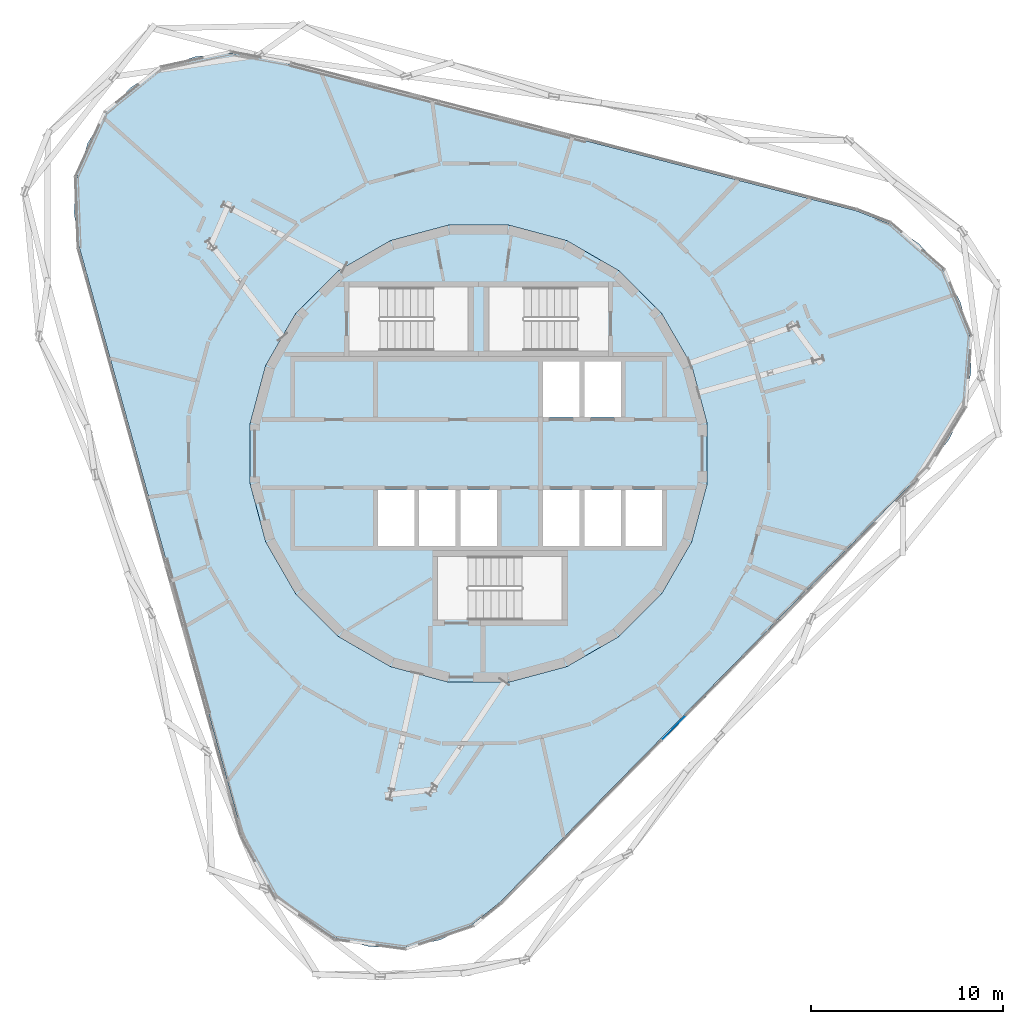
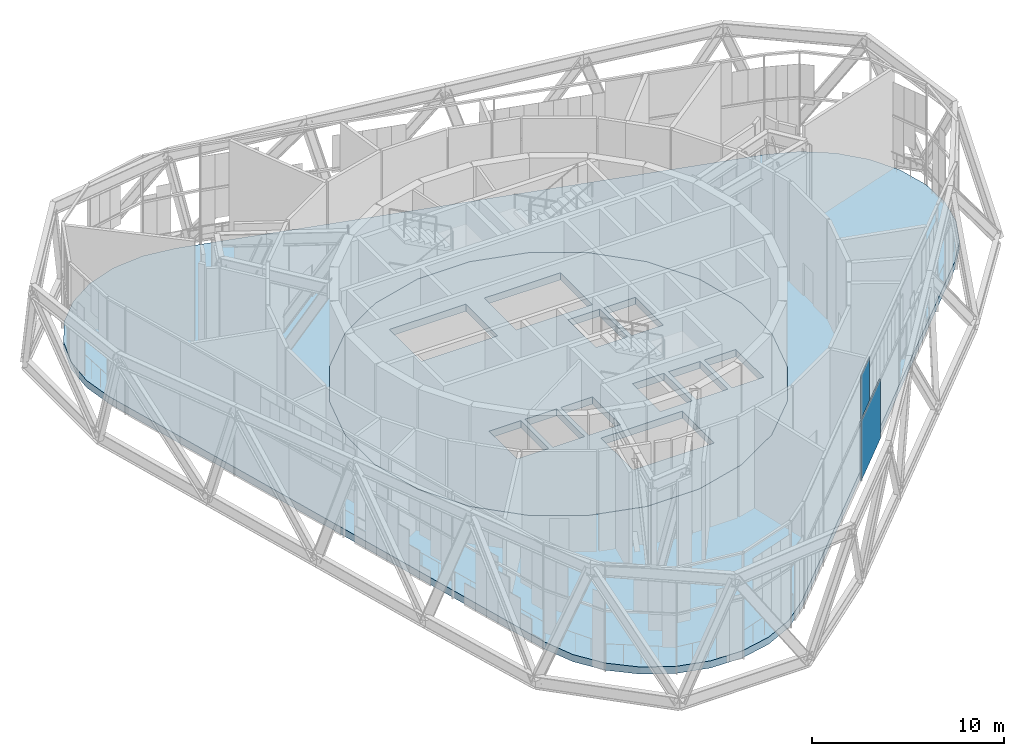
# One storey, part 10 of 23: 2 plates, 2 slabs, 1 element without a shape of its own.
"""IFC4 building model written with IfcOpenShell, lengths in metres."""

import ifcopenshell
import ifcopenshell.guid

model = None  # the IFC model being written
_history = None  # IfcOwnerHistory: only IFC2X3 demands one
_inside = {}  # id of a spatial element -> (the spatial element, [elements in it])
_under = {}  # id of a project, library or spatial element -> (it, [spatial elements below it])
_declared = {}  # id of a project -> (the project, [libraries it declares])
_typed = {}  # id of a type object -> (the type object, [elements of that type])
_made_of = {}  # id of a material, layer set ... -> (it, [elements and type objects made of it])


def new_model(schema):
    """Start an empty IFC model of exactly this schema.

    Asked for "IFC4X3", IfcOpenShell would pick the latest addendum, in which some entities
    have other attributes; the version numbers below select the first issue.
    IFC2X3 requires an IfcOwnerHistory on every rooted entity: one is made here for all.
    """
    global model, _history
    if schema == "IFC4X3":
        model = ifcopenshell.file(schema_version=(4, 3, 0, 0))
    else:
        model = ifcopenshell.file(schema=schema)
    _inside.clear()
    _under.clear()
    _declared.clear()
    _typed.clear()
    _made_of.clear()
    _history = None
    if model.schema == "IFC2X3":
        org = make("IfcOrganization", Name="unknown")
        user = make(
            "IfcPersonAndOrganization",
            ThePerson=make("IfcPerson", FamilyName="unknown"),
            TheOrganization=org,
        )
        app = make(
            "IfcApplication",
            ApplicationDeveloper=org,
            Version="unknown",
            ApplicationFullName="unknown",
            ApplicationIdentifier="unknown",
        )
        _history = make(
            "IfcOwnerHistory",
            OwningUser=user,
            OwningApplication=app,
            ChangeAction="ADDED",
            CreationDate=0,
        )
    return model


def make(cls, **values):
    """One entity of the class cls with the attributes given. An attribute that is None is left unset."""
    return model.create_entity(
        cls, **{name: value for name, value in values.items() if value is not None}
    )


def rooted(cls, **values):
    """An entity with a GlobalId (a new one), such as an element, a storey or a relation."""
    return make(cls, GlobalId=ifcopenshell.guid.new(), OwnerHistory=_history, **values)


def si_unit(unit_type, name, prefix=None):
    """IfcSIUnit, for example si_unit("LENGTHUNIT", "METRE", prefix="MILLI")."""
    return make("IfcSIUnit", UnitType=unit_type, Prefix=prefix, Name=name)


def assignment(units):
    """IfcUnitAssignment: the units of a project."""
    return None if units is None else make("IfcUnitAssignment", Units=units)


def point(xyz):
    """IfcCartesianPoint."""
    return None if xyz is None else make("IfcCartesianPoint", Coordinates=xyz)


def direction(xyz):
    """IfcDirection."""
    return None if xyz is None else make("IfcDirection", DirectionRatios=xyz)


def frame(location, z_axis=None, x_axis=None):
    """IfcAxis2Placement3D, a coordinate frame: its origin and axes. An axis left out is left unset."""
    return make(
        "IfcAxis2Placement3D",
        Location=point(location),
        Axis=direction(z_axis),
        RefDirection=direction(x_axis),
    )


def frame_2d(location, x_axis=None):
    """IfcAxis2Placement2D, a coordinate frame in the plane: its origin and x axis."""
    return make(
        "IfcAxis2Placement2D", Location=point(location), RefDirection=direction(x_axis)
    )


def origin():
    """The frame at (0, 0, 0) with its axes left unset."""
    return frame((0.0, 0.0, 0.0))


def origin_2d():
    """The frame at (0, 0) in the plane with its x axis left unset."""
    return frame_2d((0.0, 0.0))


def place(relative_to, where):
    """IfcLocalPlacement: puts the frame where relative to a parent placement (None: the world)."""
    return make(
        "IfcLocalPlacement", PlacementRelTo=relative_to, RelativePlacement=where
    )


def context(
    kind, dimensions, precision=None, world=None, true_north=None, identifier=None
):
    """IfcGeometricRepresentationContext, for example the 3D "Model" context."""
    return make(
        "IfcGeometricRepresentationContext",
        ContextIdentifier=identifier,
        ContextType=kind,
        CoordinateSpaceDimension=dimensions,
        Precision=precision,
        WorldCoordinateSystem=world,
        TrueNorth=true_north,
    )


def subcontext(parent, identifier, kind, view, scale=None):
    """IfcGeometricRepresentationSubContext, for example "Body" below "Model"."""
    return make(
        "IfcGeometricRepresentationSubContext",
        ContextIdentifier=identifier,
        ContextType=kind,
        ParentContext=parent,
        TargetScale=scale,
        TargetView=view,
    )


def project(units=None, contexts=None):
    """IfcProject with its units and contexts."""
    return rooted(
        "IfcProject",
        Name="project",
        RepresentationContexts=contexts,
        UnitsInContext=assignment(units),
    )


def spatial(cls, under=None, at=None, **own):
    """A site, building, storey or space (cls), placed at a placement, below another one or the project."""
    s = rooted(cls, ObjectPlacement=at, **own)
    if under is not None:
        _under.setdefault(under.id(), (under, []))[1].append(s)
    return s


def polyline(points):
    """IfcPolyline through the points."""
    return make("IfcPolyline", Points=[point(p) for p in points])


def profile(cls, at=None, kind="AREA", **sizes):
    """A parametric profile (cls). Its sizes go by their IFC names, for example OverallWidth=200.0."""
    return make(cls, ProfileType=kind, Position=at, **sizes)


def rectangle(**sizes):
    """IfcRectangleProfileDef."""
    return profile("IfcRectangleProfileDef", **sizes)


def outline(outer, holes=None, kind="AREA"):
    """IfcArbitraryClosedProfileDef: a profile drawn as a closed curve; with holes, ...WithVoids."""
    if holes is None:
        return make("IfcArbitraryClosedProfileDef", ProfileType=kind, OuterCurve=outer)
    return make(
        "IfcArbitraryProfileDefWithVoids",
        ProfileType=kind,
        OuterCurve=outer,
        InnerCurves=holes,
    )


def extrude(swept, where, along, depth):
    """IfcExtrudedAreaSolid: the profile swept, set in the frame where, extruded along a direction by depth."""
    return make(
        "IfcExtrudedAreaSolid",
        SweptArea=swept,
        Position=where,
        ExtrudedDirection=direction(along),
        Depth=depth,
    )


def shape(context_of_items, identifier, shape_type, items):
    """IfcShapeRepresentation: the items that make up one representation, for example the "Body"."""
    return make(
        "IfcShapeRepresentation",
        ContextOfItems=context_of_items,
        RepresentationIdentifier=identifier,
        RepresentationType=shape_type,
        Items=items,
    )


def material(Name=None, Category=None):
    """IfcMaterial."""
    return make("IfcMaterial", Name=Name, Category=Category)


def layer(
    of_material, thickness, ventilated=None, Name=None, Category=None, Priority=None
):
    """IfcMaterialLayer: one layer of a wall or slab, of a material (None: an air gap)."""
    return make(
        "IfcMaterialLayer",
        Material=of_material,
        LayerThickness=thickness,
        IsVentilated=ventilated,
        Name=Name,
        Category=Category,
        Priority=Priority,
    )


def layer_set(layers, Name=None):
    """IfcMaterialLayerSet."""
    return make("IfcMaterialLayerSet", MaterialLayers=layers, LayerSetName=Name)


def made_of(thing, what):
    """Note that an element or type object is made of a material, layer set ...; save() writes the relation."""
    if what is not None:
        _made_of.setdefault(what.id(), (what, []))[1].append(thing)
    return thing


def type_object(cls, material=None, **own):
    """A type object (cls), such as IfcWallType, which elements share."""
    return made_of(rooted(cls, **own), material)


def element(
    cls,
    number,
    at=None,
    inside=None,
    cuts=None,
    type_object=None,
    material=None,
    context=None,
    identifier="Body",
    shape_type=None,
    held_by="IfcProductDefinitionShape",
    body=None,
    shapes=None,
    **own,
):
    """One element of the class cls, such as IfcWall. Its Tag is "e" and its number.

    at: its placement. inside: the storey or other place that contains it. cuts: it is an
    opening in that element (IfcRelVoidsElement). A single representation is given by context,
    identifier, shape_type and body (its items); several are given by shapes. held_by: the class
    of the entity that holds the representations. save() writes the other relations.
    """
    e = rooted(cls, Tag="e%d" % number, ObjectPlacement=at, **own)
    if body is not None:
        shapes = [shape(context, identifier, shape_type, body)]
    if shapes is not None:
        e.Representation = make(held_by, Representations=shapes)
    if inside is not None:
        _inside.setdefault(inside.id(), (inside, []))[1].append(e)
    if cuts is not None:
        rooted(
            "IfcRelVoidsElement", RelatingBuildingElement=cuts, RelatedOpeningElement=e
        )
    if type_object is not None:
        _typed.setdefault(type_object.id(), (type_object, []))[1].append(e)
    return made_of(e, material)


def aggregate(whole, parts):
    """IfcRelAggregates: a whole, such as a stair, and the parts it consists of."""
    return rooted("IfcRelAggregates", RelatingObject=whole, RelatedObjects=parts)


def save(model, path):
    """Write the relations noted so far, then the file.

    IfcRelAggregates (storeys below a building ...), IfcRelContainedInSpatialStructure (elements
    in a storey), IfcRelDefinesByType, IfcRelAssociatesMaterial and IfcRelDeclares: one each for
    every whole, place, type object, material and project.
    """
    for whole, parts in _under.values():
        aggregate(whole, parts)
    for where, things in _inside.values():
        rooted(
            "IfcRelContainedInSpatialStructure",
            RelatedElements=things,
            RelatingStructure=where,
        )
    for kind, things in _typed.values():
        rooted("IfcRelDefinesByType", RelatedObjects=things, RelatingType=kind)
    for what, things in _made_of.values():
        rooted("IfcRelAssociatesMaterial", RelatedObjects=things, RelatingMaterial=what)
    for by, libraries in _declared.values():
        rooted("IfcRelDeclares", RelatingContext=by, RelatedDefinitions=libraries)
    model.write(path)


model = new_model("IFC4")

# Units and contexts
model_context = context("Model", 3, precision=1e-05, world=origin(), true_north=direction((0.0, 1.0)))
body_context = subcontext(model_context, "Body", "Model", "MODEL_VIEW")
ifc_project = project(units=[si_unit("LENGTHUNIT", "METRE"), si_unit("AREAUNIT", "SQUARE_METRE"), si_unit("VOLUMEUNIT", "CUBIC_METRE"), si_unit("PLANEANGLEUNIT", "RADIAN"), si_unit("MASSUNIT", "GRAM", prefix="KILO")], contexts=[model_context])

# Site, building, storey
site_placement = place(None, origin())
site = spatial("IfcSite", under=ifc_project, at=site_placement, CompositionType="ELEMENT")
building_placement = place(site_placement, origin())
building = spatial("IfcBuilding", under=site, at=building_placement, Name="Spindle Arch Residences", CompositionType="ELEMENT")
storey_placement = place(building_placement, frame((0.0, 0.0, 326.199951171875)))
storey = spatial("IfcBuildingStorey", under=building, at=storey_placement, Name="L84", CompositionType="ELEMENT", Elevation=326.199951171875)

# Slabs
ifc_material_1 = material(Name="Concrete C40/50", Category="concrete")
ifc_layer_1 = layer(ifc_material_1, 0.449951171875)
ifc_layer_set_1 = layer_set([ifc_layer_1], Name="Compartment floor slab 450")
slab_type_1 = type_object("IfcSlabType", Name="Compartment floor slab 450", PredefinedType="FLOOR", material=ifc_layer_set_1)
slab_1_placement = place(storey_placement, frame((0.0, 0.0, -0.449951171875)))
element("IfcSlab", 1, at=slab_1_placement, inside=storey, type_object=slab_type_1, Name="Floor slab L84", PredefinedType="FLOOR", context=body_context, shape_type="SweptSolid", body=[
    extrude(outline(polyline([(1.11669921875, -23.352783203125), (-0.330078125, -24.517333984375), (-2.006591796875, -25.317138671875), (-3.822509765625, -25.70849609375), (-5.6796875, -25.6708984375), (-7.477783203125, -25.205810546875), (-9.12060546875, -24.33837890625), (-10.518798828125, -23.11572265625), (-11.597412109375, -21.603515625), (-12.29833984375, -19.88330078125), (-20.782470703125, 10.709228515625), (-21.067626953125, 12.544677734375), (-20.921875, 14.396484375), (-20.35302734375, 16.164794921875), (-19.3916015625, 17.754150390625), (-18.08984375, 19.078857421875), (-16.517333984375, 20.06787109375), (-14.759521484375, 20.66748046875), (-12.910400390625, 20.845458984375), (-11.0703125, 20.59228515625), (19.665771484375, 12.6435546875), (21.397705078125, 11.972900390625), (22.9287109375, 10.920654296875), (24.175537109375, 9.5439453125), (25.0712890625, 7.916748046875), (25.567626953125, 6.126708984375), (25.637939453125, 4.2705078125), (25.2783203125, 2.4482421875), (24.5078125, 0.758056640625), (23.36865234375, -0.708984375), (12.24267578125, -12.03076171875), (1.11669921875, -23.352783203125)]), holes=[polyline([(4.59228515625, -11.086669921875), (7.30517578125, -9.520263671875), (9.520263671875, -7.30517578125), (11.086669921875, -4.59228515625), (11.897216796875, -1.56640625), (11.897216796875, 1.56640625), (11.086669921875, 4.59228515625), (9.520263671875, 7.30517578125), (7.30517578125, 9.520263671875), (4.59228515625, 11.086669921875), (1.56640625, 11.897216796875), (-1.56640625, 11.897216796875), (-4.59228515625, 11.086669921875), (-7.30517578125, 9.520263671875), (-9.520263671875, 7.30517578125), (-11.086669921875, 4.59228515625), (-11.897216796875, 1.56640625), (-11.897216796875, -1.56640625), (-11.086669921875, -4.59228515625), (-9.520263671875, -7.30517578125), (-7.30517578125, -9.520263671875), (-4.59228515625, -11.086669921875), (-1.56640625, -11.897216796875), (1.56640625, -11.897216796875), (4.59228515625, -11.086669921875)])]), origin(), (0.0, 0.0, 1.0), 0.449951171875),
])
ifc_material_2 = material(Name="Concrete C50/60", Category="concrete")
ifc_layer_2 = layer(ifc_material_2, 0.449951171875)
ifc_layer_set_2 = layer_set([ifc_layer_2], Name="Core floor slab 450")
slab_type_2 = type_object("IfcSlabType", Name="Core floor slab 450", PredefinedType="FLOOR", material=ifc_layer_set_2)
slab_2_placement = place(storey_placement, frame((0.0, 0.0, -0.449951171875)))
element("IfcSlab", 2, at=slab_2_placement, inside=storey, type_object=slab_type_2, Name="Core floor L84", PredefinedType="FLOOR", context=body_context, shape_type="SweptSolid", body=[
    extrude(outline(polyline([(1.56640625, -11.897216796875), (4.59228515625, -11.086669921875), (7.30517578125, -9.520263671875), (9.520263671875, -7.30517578125), (11.086669921875, -4.59228515625), (11.897216796875, -1.56640625), (11.897216796875, 1.56640625), (11.086669921875, 4.59228515625), (9.520263671875, 7.30517578125), (7.30517578125, 9.520263671875), (4.59228515625, 11.086669921875), (1.56640625, 11.897216796875), (-1.56640625, 11.897216796875), (-4.59228515625, 11.086669921875), (-7.30517578125, 9.520263671875), (-9.520263671875, 7.30517578125), (-11.086669921875, 4.59228515625), (-11.897216796875, 1.56640625), (-11.897216796875, -1.56640625), (-11.086669921875, -4.59228515625), (-9.520263671875, -7.30517578125), (-7.30517578125, -9.520263671875), (-4.59228515625, -11.086669921875), (-1.56640625, -11.897216796875), (1.56640625, -11.897216796875)]), holes=[polyline([(3.35009765625, 1.89990234375), (5.25, 1.89990234375), (5.25, 4.800048828125), (3.35009765625, 4.800048828125), (3.35009765625, 1.89990234375)]), polyline([(5.5, 1.89990234375), (7.39990234375, 1.89990234375), (7.39990234375, 4.800048828125), (5.5, 4.800048828125), (5.5, 1.89990234375)]), polyline([(-5.25, -4.800048828125), (-3.35009765625, -4.800048828125), (-3.35009765625, -1.89990234375), (-5.25, -1.89990234375), (-5.25, -4.800048828125)]), polyline([(-3.10009765625, -4.800048828125), (-1.199951171875, -4.800048828125), (-1.199951171875, -1.89990234375), (-3.10009765625, -1.89990234375), (-3.10009765625, -4.800048828125)]), polyline([(-0.949951171875, -4.800048828125), (0.949951171875, -4.800048828125), (0.949951171875, -1.89990234375), (-0.949951171875, -1.89990234375), (-0.949951171875, -4.800048828125)]), polyline([(3.35009765625, -4.800048828125), (5.25, -4.800048828125), (5.25, -1.89990234375), (3.35009765625, -1.89990234375), (3.35009765625, -4.800048828125)]), polyline([(5.5, -4.800048828125), (7.39990234375, -4.800048828125), (7.39990234375, -1.89990234375), (5.5, -1.89990234375), (5.5, -4.800048828125)]), polyline([(7.64990234375, -4.800048828125), (9.550048828125, -4.800048828125), (9.550048828125, -1.89990234375), (7.64990234375, -1.89990234375), (7.64990234375, -4.800048828125)]), polyline([(5.1298828125, 8.669921875), (0.550048828125, 8.669921875), (0.550048828125, 5.35009765625), (5.1298828125, 5.35009765625), (5.1298828125, 8.669921875)]), polyline([(-5.1298828125, 5.35009765625), (-0.550048828125, 5.35009765625), (-0.550048828125, 8.669921875), (-5.1298828125, 8.669921875), (-5.1298828125, 5.35009765625)]), polyline([(-0.530029296875, -8.669921875), (4.35009765625, -8.669921875), (4.35009765625, -5.35009765625), (-0.530029296875, -5.35009765625), (-0.530029296875, -8.669921875)])]), origin(), (0.0, 0.0, 1.0), 0.449951171875),
])

# Curtain wall, plates
ifc_material_3 = material(Name="Aluminium bronze unitised frame with tinted glass", Category="aluminium")
ifc_layer_3 = layer(ifc_material_3, 0.159912109375)
ifc_layer_set_3 = layer_set([ifc_layer_3], Name="CW-E double-height winter garden wall")
curtain_wall_type = type_object("IfcCurtainWallType", Name="CW-E double-height winter garden wall", PredefinedType="NOTDEFINED", material=ifc_layer_set_3)
curtain_wall_placement = place(storey_placement, origin())
curtain_wall = element("IfcCurtainWall", 3, at=curtain_wall_placement, inside=storey, type_object=curtain_wall_type, Name="CW-E L84 run 6", PredefinedType="NOTDEFINED")
ifc_material_4 = material(Name="Tinted laminated glass 28 mm", Category="glass")
ifc_layer_4 = layer(ifc_material_4, 0.028076171875)
ifc_layer_set_4 = layer_set([ifc_layer_4], Name="Tinted glass panel 28 mm")
plate_type_1 = type_object("IfcPlateType", Name="Tinted glass panel 28 mm", PredefinedType="CURTAIN_PANEL", material=ifc_layer_set_4)
plate_1_placement = place(storey_placement, frame((10.166015625, -14.25830078125, 3.4599609375), z_axis=(0.0, 0.0, 1.0), x_axis=(0.7009092643, 0.713250449154, 0.0)))
plate_1 = element("IfcPlate", 4, at=plate_1_placement, type_object=plate_type_1, Name="CW-E panel 19Ab.1", PredefinedType="CURTAIN_PANEL", context=body_context, shape_type="SweptSolid", body=[
    extrude(rectangle(XDim=1.78662109375, YDim=0.028076171875, at=origin_2d()), origin(), (0.0, 0.0, 1.0), 2.77001953125),
])
ifc_material_5 = material(Name="Tinted double glazing over aluminium faced non-combustible spandrel zone (K0)", Category="aluminium")
ifc_layer_5 = layer(ifc_material_5, 0.06005859375)
ifc_layer_set_5 = layer_set([ifc_layer_5], Name="Unitised glass panel with E 60 spandrel zone")
plate_type_2 = type_object("IfcPlateType", Name="Unitised glass panel with E 60 spandrel zone", PredefinedType="CURTAIN_PANEL", material=ifc_layer_set_5)
plate_2_placement = place(storey_placement, frame((10.919921875, -13.4912109375, -0.449951171875), z_axis=(0.0, 0.0, 1.0), x_axis=(0.7009092643, 0.713250449154, 0.0)))
plate_2 = element("IfcPlate", 5, at=plate_2_placement, type_object=plate_type_2, Name="CW-E unit 19Aa", PredefinedType="CURTAIN_PANEL", context=body_context, shape_type="SweptSolid", body=[
    extrude(rectangle(XDim=3.9375, YDim=0.06005859375, at=origin_2d()), origin(), (0.0, 0.0, 1.0), 3.7900390625),
])
aggregate(curtain_wall, [plate_2, plate_1])

save(model, "model.ifc")
